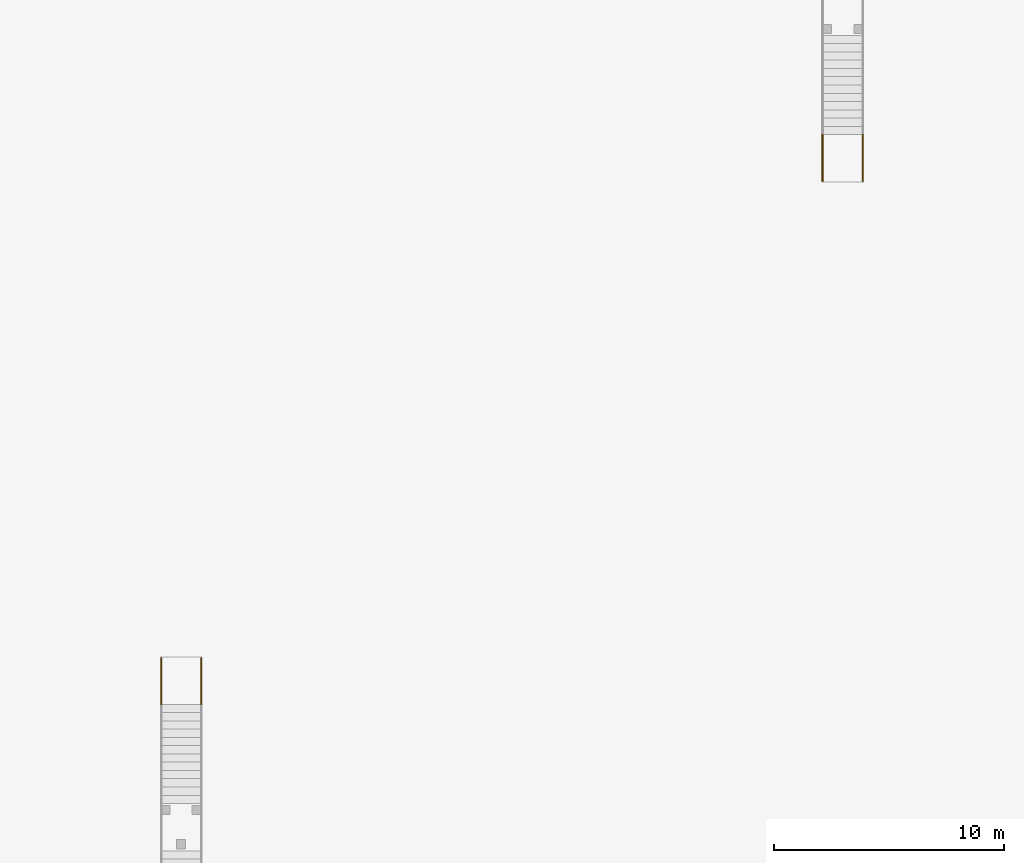
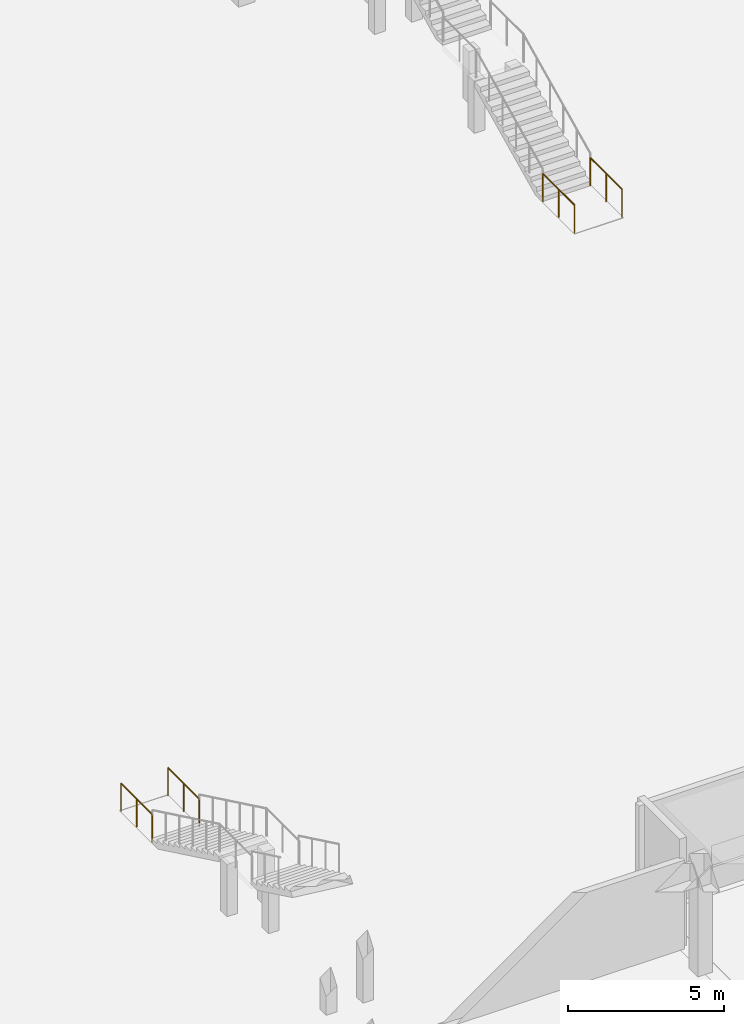
# One storey, part 51 of 58: 4 railings.
"""IFC4 building model written with IfcOpenShell, lengths in metres."""

from ifc_helpers import new_model, si_unit, direction, frame, origin, origin_2d, place, context, subcontext, project, spatial, circle, extrude, material, type_object, element, save


model = new_model("IFC4")

# Units and contexts
model_context = context("Model", 3, precision=1e-05, world=origin(), true_north=direction((0.0, 1.0)))
body_context = subcontext(model_context, "Body", "Model", "MODEL_VIEW")
ifc_project = project(units=[si_unit("LENGTHUNIT", "METRE"), si_unit("AREAUNIT", "SQUARE_METRE"), si_unit("VOLUMEUNIT", "CUBIC_METRE"), si_unit("PLANEANGLEUNIT", "RADIAN"), si_unit("MASSUNIT", "GRAM", prefix="KILO")], contexts=[model_context])

# Site, building, storey
site_placement = place(None, origin())
site = spatial("IfcSite", under=ifc_project, at=site_placement, CompositionType="ELEMENT")
building_placement = place(site_placement, origin())
building = spatial("IfcBuilding", under=site, at=building_placement, Name="Brisavento Harbour Community Centre", CompositionType="ELEMENT")
storey_placement = place(building_placement, origin())
storey = spatial("IfcBuildingStorey", under=building, at=storey_placement, Name="L00", CompositionType="ELEMENT", Elevation=0.0)

# Railings
ifc_material = material(Name="Stainless steel 1.4401", Category="steel")
railing_type = type_object("IfcRailingType", Name="RL-ST-GUARD", PredefinedType="GUARDRAIL", material=ifc_material)
for number, where, name in (
    (1, (96.330078125, 41.81005859375, 0.0), "L00 MST-02 L L1 stair guard"),
    (2, (98.070068359375, 41.81005859375, 0.0), "L00 MST-02 R L1 stair guard"),
):
    element("IfcRailing", number, at=place(storey_placement, frame(where)), inside=storey, type_object=railing_type, Name=name, PredefinedType="GUARDRAIL", context=body_context, shape_type="SweptSolid", body=[
        extrude(circle(Radius=0.02392578125, at=origin_2d()), frame((0.0, 0.0, 1.09619140625), z_axis=(0.0, -1.0, 0.0), x_axis=(1.0, 0.0, 0.0)), (0.0, 0.0, 1.0), 2.010009765625),
        extrude(circle(Radius=0.02099609375, at=origin_2d()), origin(), (0.0, 0.0, 1.0), 1.072021484375),
        extrude(circle(Radius=0.02099609375, at=origin_2d()), frame((0.0, -1.0048828125, 0.0)), (0.0, 0.0, 1.0), 1.072021484375),
        extrude(circle(Radius=0.02099609375, at=origin_2d()), frame((0.0, -2.010009765625, 0.0)), (0.0, 0.0, 1.0), 1.072021484375),
    ])
for number, where, name in (
    (3, (126.8798828125, 62.570068359375, 0.0), "L00 MST-03 L L1 stair guard"),
    (4, (125.1201171875, 62.570068359375, 0.0), "L00 MST-03 R L1 stair guard"),
):
    element("IfcRailing", number, at=place(storey_placement, frame(where)), inside=storey, type_object=railing_type, Name=name, PredefinedType="GUARDRAIL", context=body_context, shape_type="SweptSolid", body=[
        extrude(circle(Radius=0.02392578125, at=origin_2d()), frame((0.0, 0.0, 1.09619140625), z_axis=(0.0, 1.0, 0.0), x_axis=(-1.0, 0.0, 0.0)), (0.0, 0.0, 1.0), 2.030029296875),
        extrude(circle(Radius=0.02099609375, at=origin_2d()), origin(), (0.0, 0.0, 1.0), 1.072021484375),
        extrude(circle(Radius=0.02099609375, at=origin_2d()), frame((0.0, 1.01513671875, 0.0)), (0.0, 0.0, 1.0), 1.072021484375),
        extrude(circle(Radius=0.02099609375, at=origin_2d()), frame((0.0, 2.030029296875, 0.0)), (0.0, 0.0, 1.0), 1.072021484375),
    ])

save(model, "model.ifc")
